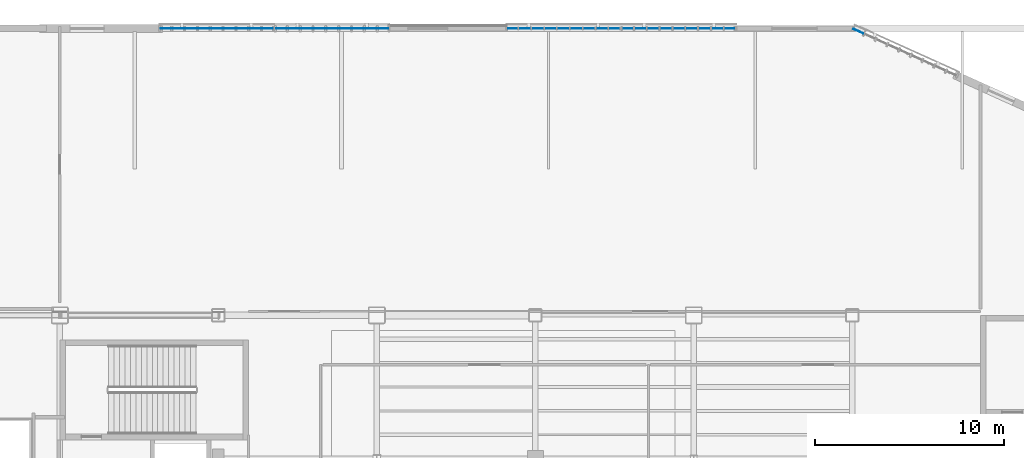
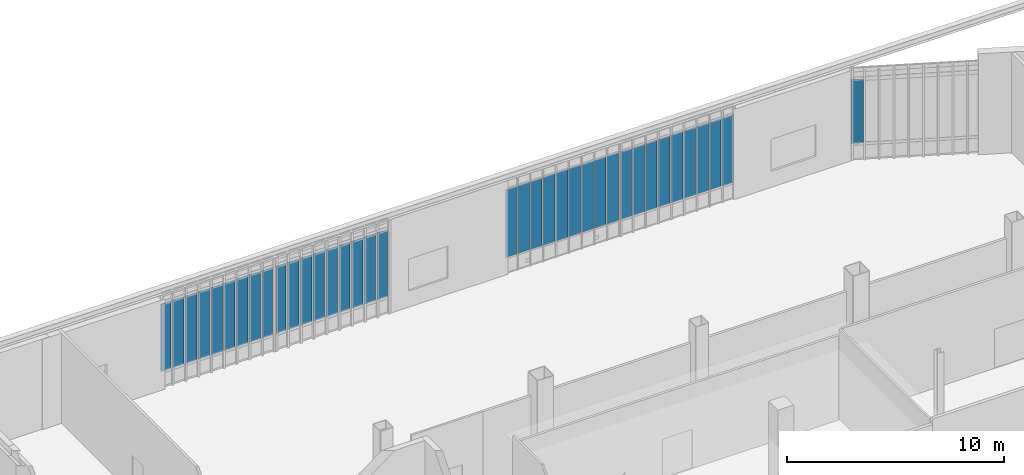
# One storey, part 75 of 135: 37 plates, 5 elements without a shape of their own.
"""IFC4 building model written with IfcOpenShell, lengths in metres."""

from ifc_helpers import new_model, si_unit, direction, frame, origin, origin_2d, place, context, subcontext, project, spatial, rectangle, extrude, material, layer, layer_set, type_object, element, aggregate, save


model = new_model("IFC4")

# Units and contexts
model_context = context("Model", 3, precision=1e-05, world=origin(), true_north=direction((0.0, 1.0)))
body_context = subcontext(model_context, "Body", "Model", "MODEL_VIEW")
ifc_project = project(units=[si_unit("LENGTHUNIT", "METRE"), si_unit("AREAUNIT", "SQUARE_METRE"), si_unit("VOLUMEUNIT", "CUBIC_METRE"), si_unit("PLANEANGLEUNIT", "RADIAN"), si_unit("MASSUNIT", "GRAM", prefix="KILO")], contexts=[model_context])

# Site, building, storey
site_placement = place(None, origin())
site = spatial("IfcSite", under=ifc_project, at=site_placement, CompositionType="ELEMENT")
building_placement = place(site_placement, origin())
building = spatial("IfcBuilding", under=site, at=building_placement, Name="Larkvane Passage Sports Hall", CompositionType="ELEMENT")
storey_placement = place(building_placement, frame((0.0, 0.0, 10.800048828125)))
storey = spatial("IfcBuildingStorey", under=building, at=storey_placement, Name="L02", CompositionType="ELEMENT", Elevation=10.800048828125)

# Curtain wall, plates
ifc_material_1 = material(Name="Thermally broken aluminium and low-E glazing", Category="aluminium")
curtain_wall_type_1 = type_object("IfcCurtainWallType", Name="CW-UNIT-COURT", PredefinedType="USERDEFINED", material=ifc_material_1)
curtain_wall_1_placement = place(storey_placement, origin())
curtain_wall_1 = element("IfcCurtainWall", 1, at=curtain_wall_1_placement, inside=storey, type_object=curtain_wall_type_1, Name="Curtain wall CW5-L02-100", ObjectType="UNITISED CURTAIN WALL", PredefinedType="USERDEFINED")
ifc_material_2 = material(Name="Solar-control low-E double glazing", Category="glass")
ifc_layer_1 = layer(ifc_material_2, 0.028076171875)
ifc_layer_set_1 = layer_set([ifc_layer_1], Name="Solar-control low-E double glazing")
plate_type_1 = type_object("IfcPlateType", Name="CWP-VIS-28", PredefinedType="CURTAIN_PANEL", material=ifc_layer_set_1)
plate_1_placement = place(storey_placement, frame((58.7802734375, 106.800048828125, 0.8798828125), z_axis=(0.0, 0.0, 1.0), x_axis=(1.0, 0.0, 0.0)))
plate_1 = element("IfcPlate", 2, at=plate_1_placement, type_object=plate_type_1, Name="CW-01 panel 1.2", PredefinedType="CURTAIN_PANEL", context=body_context, shape_type="SweptSolid", body=[
    extrude(rectangle(XDim=0.590576171875, YDim=0.028076171875, at=origin_2d()), origin(), (0.0, 0.0, 1.0), 3.818115234375),
])
plate_2_placement = place(storey_placement, frame((59.44580078125, 106.800048828125, 0.8798828125), z_axis=(0.0, 0.0, 1.0), x_axis=(1.0, 0.0, 0.0)))
plate_2 = element("IfcPlate", 3, at=plate_2_placement, type_object=plate_type_1, Name="CW-01 panel 2.2", PredefinedType="CURTAIN_PANEL", context=body_context, shape_type="SweptSolid", body=[
    extrude(rectangle(XDim=0.62060546875, YDim=0.028076171875, at=origin_2d()), origin(), (0.0, 0.0, 1.0), 3.818115234375),
])
plate_3_placement = place(storey_placement, frame((60.12646484375, 106.800048828125, 0.8798828125), z_axis=(0.0, 0.0, 1.0), x_axis=(1.0, 0.0, 0.0)))
plate_3 = element("IfcPlate", 4, at=plate_3_placement, type_object=plate_type_1, Name="CW-01 panel 3.2", PredefinedType="CURTAIN_PANEL", context=body_context, shape_type="SweptSolid", body=[
    extrude(rectangle(XDim=0.62060546875, YDim=0.028076171875, at=origin_2d()), origin(), (0.0, 0.0, 1.0), 3.818115234375),
])
plate_4_placement = place(storey_placement, frame((60.806884765625, 106.800048828125, 0.8798828125), z_axis=(0.0, 0.0, 1.0), x_axis=(1.0, 0.0, 0.0)))
plate_4 = element("IfcPlate", 5, at=plate_4_placement, type_object=plate_type_1, Name="CW-01 panel 4.2", PredefinedType="CURTAIN_PANEL", context=body_context, shape_type="SweptSolid", body=[
    extrude(rectangle(XDim=0.62060546875, YDim=0.028076171875, at=origin_2d()), origin(), (0.0, 0.0, 1.0), 3.818115234375),
])
plate_5_placement = place(storey_placement, frame((61.487548828125, 106.800048828125, 0.8798828125), z_axis=(0.0, 0.0, 1.0), x_axis=(1.0, 0.0, 0.0)))
plate_5 = element("IfcPlate", 6, at=plate_5_placement, type_object=plate_type_1, Name="CW-01 panel 5.2", PredefinedType="CURTAIN_PANEL", context=body_context, shape_type="SweptSolid", body=[
    extrude(rectangle(XDim=0.62060546875, YDim=0.028076171875, at=origin_2d()), origin(), (0.0, 0.0, 1.0), 3.818115234375),
])
plate_6_placement = place(storey_placement, frame((62.16796875, 106.800048828125, 0.8798828125), z_axis=(0.0, 0.0, 1.0), x_axis=(1.0, 0.0, 0.0)))
plate_6 = element("IfcPlate", 7, at=plate_6_placement, type_object=plate_type_1, Name="CW-01 panel 6.2", PredefinedType="CURTAIN_PANEL", context=body_context, shape_type="SweptSolid", body=[
    extrude(rectangle(XDim=0.62060546875, YDim=0.028076171875, at=origin_2d()), origin(), (0.0, 0.0, 1.0), 3.818115234375),
])
plate_7_placement = place(storey_placement, frame((62.8486328125, 106.800048828125, 0.8798828125), z_axis=(0.0, 0.0, 1.0), x_axis=(1.0, 0.0, 0.0)))
plate_7 = element("IfcPlate", 8, at=plate_7_placement, type_object=plate_type_1, Name="CW-01 panel 7.2", PredefinedType="CURTAIN_PANEL", context=body_context, shape_type="SweptSolid", body=[
    extrude(rectangle(XDim=0.62060546875, YDim=0.028076171875, at=origin_2d()), origin(), (0.0, 0.0, 1.0), 3.818115234375),
])
plate_8_placement = place(storey_placement, frame((63.529052734375, 106.800048828125, 0.8798828125), z_axis=(0.0, 0.0, 1.0), x_axis=(1.0, 0.0, 0.0)))
plate_8 = element("IfcPlate", 9, at=plate_8_placement, type_object=plate_type_1, Name="CW-01 panel 8.2", PredefinedType="CURTAIN_PANEL", context=body_context, shape_type="SweptSolid", body=[
    extrude(rectangle(XDim=0.62060546875, YDim=0.028076171875, at=origin_2d()), origin(), (0.0, 0.0, 1.0), 3.818115234375),
])
plate_9_placement = place(storey_placement, frame((64.19482421875, 106.800048828125, 0.8798828125), z_axis=(0.0, 0.0, 1.0), x_axis=(1.0, 0.0, 0.0)))
plate_9 = element("IfcPlate", 10, at=plate_9_placement, type_object=plate_type_1, Name="CW-01 panel 9.2", PredefinedType="CURTAIN_PANEL", context=body_context, shape_type="SweptSolid", body=[
    extrude(rectangle(XDim=0.590576171875, YDim=0.028076171875, at=origin_2d()), origin(), (0.0, 0.0, 1.0), 3.818115234375),
])
aggregate(curtain_wall_1, [plate_1, plate_2, plate_3, plate_4, plate_5, plate_6, plate_7, plate_8, plate_9])

curtain_wall_type_2 = type_object("IfcCurtainWallType", Name="CW-UNIT-VEIL", PredefinedType="USERDEFINED", material=ifc_material_1)
curtain_wall_2_placement = place(storey_placement, origin())
curtain_wall_2 = element("IfcCurtainWall", 11, at=curtain_wall_2_placement, inside=storey, type_object=curtain_wall_type_2, Name="Curtain wall CW5-L02-101", ObjectType="UNITISED CURTAIN WALL", PredefinedType="USERDEFINED")
ifc_material_3 = material(Name="Laminated acoustic low-E glazing", Category="glass")
ifc_layer_2 = layer(ifc_material_3, 0.031982421875)
ifc_layer_set_2 = layer_set([ifc_layer_2], Name="Laminated acoustic low-E glazing")
plate_type_2 = type_object("IfcPlateType", Name="CWP-VIS-32", PredefinedType="CURTAIN_PANEL", material=ifc_layer_set_2)
plate_10_placement = place(storey_placement, frame((64.90771484375, 106.800048828125, 0.885009765625), z_axis=(0.0, 0.0, 1.0), x_axis=(1.0, 0.0, 0.0)))
plate_10 = element("IfcPlate", 12, at=plate_10_placement, type_object=plate_type_2, Name="CW-02 panel 1.2", PredefinedType="CURTAIN_PANEL", context=body_context, shape_type="SweptSolid", body=[
    extrude(rectangle(XDim=0.575439453125, YDim=0.031982421875, at=origin_2d()), origin(), (0.0, 0.0, 1.0), 3.80810546875),
])
plate_11_placement = place(storey_placement, frame((65.57080078125, 106.800048828125, 0.885009765625), z_axis=(0.0, 0.0, 1.0), x_axis=(1.0, 0.0, 0.0)))
plate_11 = element("IfcPlate", 13, at=plate_11_placement, type_object=plate_type_2, Name="CW-02 panel 2.2", PredefinedType="CURTAIN_PANEL", context=body_context, shape_type="SweptSolid", body=[
    extrude(rectangle(XDim=0.610595703125, YDim=0.031982421875, at=origin_2d()), origin(), (0.0, 0.0, 1.0), 3.80810546875),
])
plate_12_placement = place(storey_placement, frame((66.25146484375, 106.800048828125, 0.885009765625), z_axis=(0.0, 0.0, 1.0), x_axis=(1.0, 0.0, 0.0)))
plate_12 = element("IfcPlate", 14, at=plate_12_placement, type_object=plate_type_2, Name="CW-02 panel 3.2", PredefinedType="CURTAIN_PANEL", context=body_context, shape_type="SweptSolid", body=[
    extrude(rectangle(XDim=0.610595703125, YDim=0.031982421875, at=origin_2d()), origin(), (0.0, 0.0, 1.0), 3.80810546875),
])
plate_13_placement = place(storey_placement, frame((66.931884765625, 106.800048828125, 0.885009765625), z_axis=(0.0, 0.0, 1.0), x_axis=(1.0, 0.0, 0.0)))
plate_13 = element("IfcPlate", 15, at=plate_13_placement, type_object=plate_type_2, Name="CW-02 panel 4.2", PredefinedType="CURTAIN_PANEL", context=body_context, shape_type="SweptSolid", body=[
    extrude(rectangle(XDim=0.610595703125, YDim=0.031982421875, at=origin_2d()), origin(), (0.0, 0.0, 1.0), 3.80810546875),
])
plate_14_placement = place(storey_placement, frame((67.612548828125, 106.800048828125, 0.885009765625), z_axis=(0.0, 0.0, 1.0), x_axis=(1.0, 0.0, 0.0)))
plate_14 = element("IfcPlate", 16, at=plate_14_placement, type_object=plate_type_2, Name="CW-02 panel 5.2", PredefinedType="CURTAIN_PANEL", context=body_context, shape_type="SweptSolid", body=[
    extrude(rectangle(XDim=0.610595703125, YDim=0.031982421875, at=origin_2d()), origin(), (0.0, 0.0, 1.0), 3.80810546875),
])
plate_15_placement = place(storey_placement, frame((68.29296875, 106.800048828125, 0.885009765625), z_axis=(0.0, 0.0, 1.0), x_axis=(1.0, 0.0, 0.0)))
plate_15 = element("IfcPlate", 17, at=plate_15_placement, type_object=plate_type_2, Name="CW-02 panel 6.2", PredefinedType="CURTAIN_PANEL", context=body_context, shape_type="SweptSolid", body=[
    extrude(rectangle(XDim=0.610595703125, YDim=0.031982421875, at=origin_2d()), origin(), (0.0, 0.0, 1.0), 3.80810546875),
])
plate_16_placement = place(storey_placement, frame((68.9736328125, 106.800048828125, 0.885009765625), z_axis=(0.0, 0.0, 1.0), x_axis=(1.0, 0.0, 0.0)))
plate_16 = element("IfcPlate", 18, at=plate_16_placement, type_object=plate_type_2, Name="CW-02 panel 7.2", PredefinedType="CURTAIN_PANEL", context=body_context, shape_type="SweptSolid", body=[
    extrude(rectangle(XDim=0.610595703125, YDim=0.031982421875, at=origin_2d()), origin(), (0.0, 0.0, 1.0), 3.80810546875),
])
plate_17_placement = place(storey_placement, frame((69.654052734375, 106.800048828125, 0.885009765625), z_axis=(0.0, 0.0, 1.0), x_axis=(1.0, 0.0, 0.0)))
plate_17 = element("IfcPlate", 19, at=plate_17_placement, type_object=plate_type_2, Name="CW-02 panel 8.2", PredefinedType="CURTAIN_PANEL", context=body_context, shape_type="SweptSolid", body=[
    extrude(rectangle(XDim=0.610595703125, YDim=0.031982421875, at=origin_2d()), origin(), (0.0, 0.0, 1.0), 3.80810546875),
])
plate_18_placement = place(storey_placement, frame((70.317138671875, 106.800048828125, 0.885009765625), z_axis=(0.0, 0.0, 1.0), x_axis=(1.0, 0.0, 0.0)))
plate_18 = element("IfcPlate", 20, at=plate_18_placement, type_object=plate_type_2, Name="CW-02 panel 9.2", PredefinedType="CURTAIN_PANEL", context=body_context, shape_type="SweptSolid", body=[
    extrude(rectangle(XDim=0.575439453125, YDim=0.031982421875, at=origin_2d()), origin(), (0.0, 0.0, 1.0), 3.80810546875),
])
aggregate(curtain_wall_2, [plate_10, plate_11, plate_12, plate_13, plate_14, plate_15, plate_16, plate_17, plate_18])

# Curtain wall, plate
curtain_wall_type_3 = type_object("IfcCurtainWallType", Name="CW-STICK-FOYER", PredefinedType="USERDEFINED", material=ifc_material_1)
curtain_wall_3_placement = place(storey_placement, origin())
curtain_wall_3 = element("IfcCurtainWall", 21, at=curtain_wall_3_placement, inside=storey, type_object=curtain_wall_type_3, Name="Curtain wall CW5-L02-078", ObjectType="STICK CURTAIN WALL", PredefinedType="USERDEFINED")
ifc_material_4 = material(Name="High-impact court low-E glazing", Category="glass")
ifc_layer_3 = layer(ifc_material_4, 0.035888671875)
ifc_layer_set_3 = layer_set([ifc_layer_3], Name="High-impact court low-E glazing")
plate_type_3 = type_object("IfcPlateType", Name="CWP-VIS-36", PredefinedType="CURTAIN_PANEL", material=ifc_layer_set_3)
plate_19_placement = place(storey_placement, frame((77.12939453125, 106.651123046875, 0.889892578125), z_axis=(0.0, 0.0, 1.0), x_axis=(0.911109959422, -0.412163367903, 0.0)))
plate_19 = element("IfcPlate", 22, at=plate_19_placement, type_object=plate_type_3, Name="CW-03 panel 1.2", PredefinedType="CURTAIN_PANEL", context=body_context, shape_type="SweptSolid", body=[
    extrude(rectangle(XDim=0.56298828125, YDim=0.035888671875, at=origin_2d()), origin(), (0.0, 0.0, 1.0), 3.60009765625),
])
aggregate(curtain_wall_3, [plate_19])

# Curtain wall, plates
curtain_wall_4_placement = place(storey_placement, origin())
curtain_wall_4 = element("IfcCurtainWall", 23, at=curtain_wall_4_placement, inside=storey, type_object=curtain_wall_type_3, Name="Curtain wall CW5-L02-098", ObjectType="STICK CURTAIN WALL", PredefinedType="USERDEFINED")
plate_20_placement = place(storey_placement, frame((40.412841796875, 106.800048828125, 0.89501953125), z_axis=(0.0, 0.0, 1.0), x_axis=(1.0, 0.0, 0.0)))
plate_20 = element("IfcPlate", 24, at=plate_20_placement, type_object=plate_type_3, Name="CW-03 panel 1.2", PredefinedType="CURTAIN_PANEL", context=body_context, shape_type="SweptSolid", body=[
    extrude(rectangle(XDim=0.545654296875, YDim=0.035888671875, at=origin_2d()), origin(), (0.0, 0.0, 1.0), 3.7880859375),
])
plate_21_placement = place(storey_placement, frame((41.07080078125, 106.800048828125, 0.89501953125), z_axis=(0.0, 0.0, 1.0), x_axis=(1.0, 0.0, 0.0)))
plate_21 = element("IfcPlate", 25, at=plate_21_placement, type_object=plate_type_3, Name="CW-03 panel 2.2", PredefinedType="CURTAIN_PANEL", context=body_context, shape_type="SweptSolid", body=[
    extrude(rectangle(XDim=0.590576171875, YDim=0.035888671875, at=origin_2d()), origin(), (0.0, 0.0, 1.0), 3.7880859375),
])
plate_22_placement = place(storey_placement, frame((41.75146484375, 106.800048828125, 0.89501953125), z_axis=(0.0, 0.0, 1.0), x_axis=(1.0, 0.0, 0.0)))
plate_22 = element("IfcPlate", 26, at=plate_22_placement, type_object=plate_type_3, Name="CW-03 panel 3.2", PredefinedType="CURTAIN_PANEL", context=body_context, shape_type="SweptSolid", body=[
    extrude(rectangle(XDim=0.590576171875, YDim=0.035888671875, at=origin_2d()), origin(), (0.0, 0.0, 1.0), 3.7880859375),
])
plate_23_placement = place(storey_placement, frame((42.431884765625, 106.800048828125, 0.89501953125), z_axis=(0.0, 0.0, 1.0), x_axis=(1.0, 0.0, 0.0)))
plate_23 = element("IfcPlate", 27, at=plate_23_placement, type_object=plate_type_3, Name="CW-03 panel 4.2", PredefinedType="CURTAIN_PANEL", context=body_context, shape_type="SweptSolid", body=[
    extrude(rectangle(XDim=0.590576171875, YDim=0.035888671875, at=origin_2d()), origin(), (0.0, 0.0, 1.0), 3.7880859375),
])
plate_24_placement = place(storey_placement, frame((43.112548828125, 106.800048828125, 0.89501953125), z_axis=(0.0, 0.0, 1.0), x_axis=(1.0, 0.0, 0.0)))
plate_24 = element("IfcPlate", 28, at=plate_24_placement, type_object=plate_type_3, Name="CW-03 panel 5.2", PredefinedType="CURTAIN_PANEL", context=body_context, shape_type="SweptSolid", body=[
    extrude(rectangle(XDim=0.590576171875, YDim=0.035888671875, at=origin_2d()), origin(), (0.0, 0.0, 1.0), 3.7880859375),
])
plate_25_placement = place(storey_placement, frame((43.79296875, 106.800048828125, 0.89501953125), z_axis=(0.0, 0.0, 1.0), x_axis=(1.0, 0.0, 0.0)))
plate_25 = element("IfcPlate", 29, at=plate_25_placement, type_object=plate_type_3, Name="CW-03 panel 6.2", PredefinedType="CURTAIN_PANEL", context=body_context, shape_type="SweptSolid", body=[
    extrude(rectangle(XDim=0.590576171875, YDim=0.035888671875, at=origin_2d()), origin(), (0.0, 0.0, 1.0), 3.7880859375),
])
plate_26_placement = place(storey_placement, frame((44.4736328125, 106.800048828125, 0.89501953125), z_axis=(0.0, 0.0, 1.0), x_axis=(1.0, 0.0, 0.0)))
plate_26 = element("IfcPlate", 30, at=plate_26_placement, type_object=plate_type_3, Name="CW-03 panel 7.2", PredefinedType="CURTAIN_PANEL", context=body_context, shape_type="SweptSolid", body=[
    extrude(rectangle(XDim=0.590576171875, YDim=0.035888671875, at=origin_2d()), origin(), (0.0, 0.0, 1.0), 3.7880859375),
])
plate_27_placement = place(storey_placement, frame((45.154052734375, 106.800048828125, 0.89501953125), z_axis=(0.0, 0.0, 1.0), x_axis=(1.0, 0.0, 0.0)))
plate_27 = element("IfcPlate", 31, at=plate_27_placement, type_object=plate_type_3, Name="CW-03 panel 8.2", PredefinedType="CURTAIN_PANEL", context=body_context, shape_type="SweptSolid", body=[
    extrude(rectangle(XDim=0.590576171875, YDim=0.035888671875, at=origin_2d()), origin(), (0.0, 0.0, 1.0), 3.7880859375),
])
plate_28_placement = place(storey_placement, frame((45.812255859375, 106.800048828125, 0.89501953125), z_axis=(0.0, 0.0, 1.0), x_axis=(1.0, 0.0, 0.0)))
plate_28 = element("IfcPlate", 32, at=plate_28_placement, type_object=plate_type_3, Name="CW-03 panel 9.2", PredefinedType="CURTAIN_PANEL", context=body_context, shape_type="SweptSolid", body=[
    extrude(rectangle(XDim=0.545654296875, YDim=0.035888671875, at=origin_2d()), origin(), (0.0, 0.0, 1.0), 3.7880859375),
])
aggregate(curtain_wall_4, [plate_20, plate_21, plate_22, plate_23, plate_24, plate_25, plate_26, plate_27, plate_28])

curtain_wall_type_4 = type_object("IfcCurtainWallType", Name="CW-CLINIC", PredefinedType="USERDEFINED", material=ifc_material_1)
curtain_wall_5_placement = place(storey_placement, origin())
curtain_wall_5 = element("IfcCurtainWall", 33, at=curtain_wall_5_placement, inside=storey, type_object=curtain_wall_type_4, Name="Curtain wall CW5-L02-099", ObjectType="UNITISED CURTAIN WALL", PredefinedType="USERDEFINED")
ifc_material_5 = material(Name="Triple-laminated typhoon glazing", Category="glass")
ifc_layer_4 = layer(ifc_material_5, 0.0419921875)
ifc_layer_set_4 = layer_set([ifc_layer_4], Name="Triple-laminated typhoon glazing")
plate_type_4 = type_object("IfcPlateType", Name="CWP-VIS-42", PredefinedType="CURTAIN_PANEL", material=ifc_layer_set_4)
plate_29_placement = place(storey_placement, frame((46.540283203125, 106.800048828125, 0.89990234375), z_axis=(0.0, 0.0, 1.0), x_axis=(1.0, 0.0, 0.0)))
plate_29 = element("IfcPlate", 34, at=plate_29_placement, type_object=plate_type_4, Name="CW-05 panel 1.2", PredefinedType="CURTAIN_PANEL", context=body_context, shape_type="SweptSolid", body=[
    extrude(rectangle(XDim=0.530517578125, YDim=0.0419921875, at=origin_2d()), origin(), (0.0, 0.0, 1.0), 3.76806640625),
])
plate_30_placement = place(storey_placement, frame((47.19580078125, 106.800048828125, 0.89990234375), z_axis=(0.0, 0.0, 1.0), x_axis=(1.0, 0.0, 0.0)))
plate_30 = element("IfcPlate", 35, at=plate_30_placement, type_object=plate_type_4, Name="CW-05 panel 2.2", PredefinedType="CURTAIN_PANEL", context=body_context, shape_type="SweptSolid", body=[
    extrude(rectangle(XDim=0.58056640625, YDim=0.0419921875, at=origin_2d()), origin(), (0.0, 0.0, 1.0), 3.76806640625),
])
plate_31_placement = place(storey_placement, frame((47.87646484375, 106.800048828125, 0.89990234375), z_axis=(0.0, 0.0, 1.0), x_axis=(1.0, 0.0, 0.0)))
plate_31 = element("IfcPlate", 36, at=plate_31_placement, type_object=plate_type_4, Name="CW-05 panel 3.2", PredefinedType="CURTAIN_PANEL", context=body_context, shape_type="SweptSolid", body=[
    extrude(rectangle(XDim=0.58056640625, YDim=0.0419921875, at=origin_2d()), origin(), (0.0, 0.0, 1.0), 3.76806640625),
])
plate_32_placement = place(storey_placement, frame((48.556884765625, 106.800048828125, 0.89990234375), z_axis=(0.0, 0.0, 1.0), x_axis=(1.0, 0.0, 0.0)))
plate_32 = element("IfcPlate", 37, at=plate_32_placement, type_object=plate_type_4, Name="CW-05 panel 4.2", PredefinedType="CURTAIN_PANEL", context=body_context, shape_type="SweptSolid", body=[
    extrude(rectangle(XDim=0.58056640625, YDim=0.0419921875, at=origin_2d()), origin(), (0.0, 0.0, 1.0), 3.76806640625),
])
plate_33_placement = place(storey_placement, frame((49.237548828125, 106.800048828125, 0.89990234375), z_axis=(0.0, 0.0, 1.0), x_axis=(1.0, 0.0, 0.0)))
plate_33 = element("IfcPlate", 38, at=plate_33_placement, type_object=plate_type_4, Name="CW-05 panel 5.2", PredefinedType="CURTAIN_PANEL", context=body_context, shape_type="SweptSolid", body=[
    extrude(rectangle(XDim=0.58056640625, YDim=0.0419921875, at=origin_2d()), origin(), (0.0, 0.0, 1.0), 3.76806640625),
])
plate_34_placement = place(storey_placement, frame((49.91796875, 106.800048828125, 0.89990234375), z_axis=(0.0, 0.0, 1.0), x_axis=(1.0, 0.0, 0.0)))
plate_34 = element("IfcPlate", 39, at=plate_34_placement, type_object=plate_type_4, Name="CW-05 panel 6.2", PredefinedType="CURTAIN_PANEL", context=body_context, shape_type="SweptSolid", body=[
    extrude(rectangle(XDim=0.58056640625, YDim=0.0419921875, at=origin_2d()), origin(), (0.0, 0.0, 1.0), 3.76806640625),
])
plate_35_placement = place(storey_placement, frame((50.5986328125, 106.800048828125, 0.89990234375), z_axis=(0.0, 0.0, 1.0), x_axis=(1.0, 0.0, 0.0)))
plate_35 = element("IfcPlate", 40, at=plate_35_placement, type_object=plate_type_4, Name="CW-05 panel 7.2", PredefinedType="CURTAIN_PANEL", context=body_context, shape_type="SweptSolid", body=[
    extrude(rectangle(XDim=0.58056640625, YDim=0.0419921875, at=origin_2d()), origin(), (0.0, 0.0, 1.0), 3.76806640625),
])
plate_36_placement = place(storey_placement, frame((51.279052734375, 106.800048828125, 0.89990234375), z_axis=(0.0, 0.0, 1.0), x_axis=(1.0, 0.0, 0.0)))
plate_36 = element("IfcPlate", 41, at=plate_36_placement, type_object=plate_type_4, Name="CW-05 panel 8.2", PredefinedType="CURTAIN_PANEL", context=body_context, shape_type="SweptSolid", body=[
    extrude(rectangle(XDim=0.58056640625, YDim=0.0419921875, at=origin_2d()), origin(), (0.0, 0.0, 1.0), 3.76806640625),
])
plate_37_placement = place(storey_placement, frame((51.934814453125, 106.800048828125, 0.89990234375), z_axis=(0.0, 0.0, 1.0), x_axis=(1.0, 0.0, 0.0)))
plate_37 = element("IfcPlate", 42, at=plate_37_placement, type_object=plate_type_4, Name="CW-05 panel 9.2", PredefinedType="CURTAIN_PANEL", context=body_context, shape_type="SweptSolid", body=[
    extrude(rectangle(XDim=0.530517578125, YDim=0.0419921875, at=origin_2d()), origin(), (0.0, 0.0, 1.0), 3.76806640625),
])
aggregate(curtain_wall_5, [plate_29, plate_30, plate_31, plate_32, plate_33, plate_34, plate_35, plate_36, plate_37])

save(model, "model.ifc")
